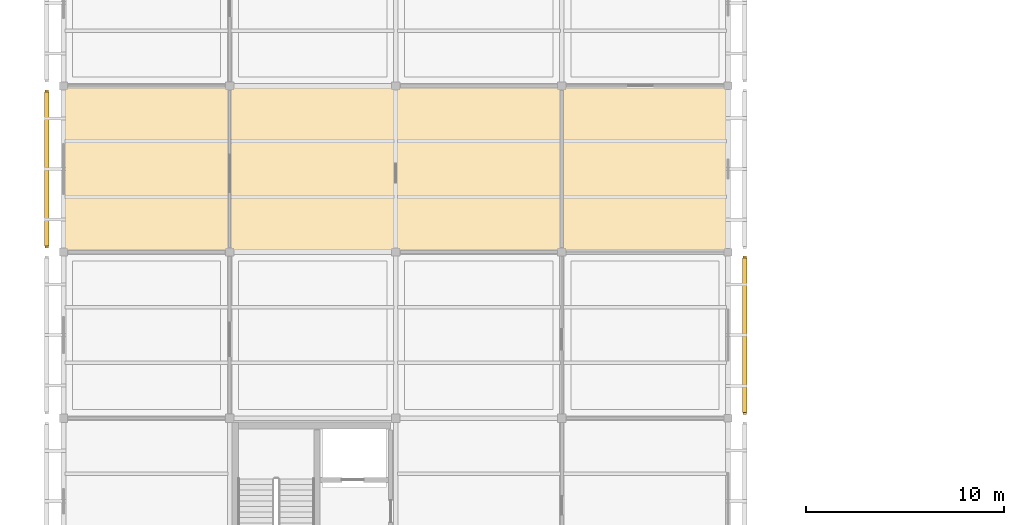
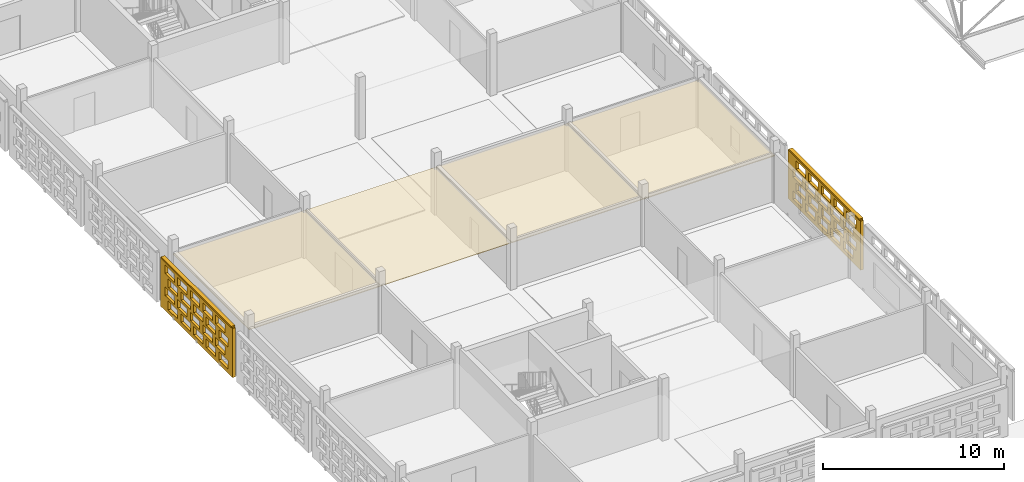
# One storey, part 89 of 103: 6 coverings, 2 shading devices, 40 openings.
"""IFC4 building model written with IfcOpenShell, lengths in metres."""

from ifc_helpers import new_model, si_unit, direction, frame, frame_2d, origin, origin_2d, place, context, subcontext, project, spatial, rectangle, extrude, material, layer, layer_set, type_object, element, save


model = new_model("IFC4")

# Units and contexts
model_context = context("Model", 3, precision=1e-05, world=origin(), true_north=direction((0.0, 1.0)))
body_context = subcontext(model_context, "Body", "Model", "MODEL_VIEW")
ifc_project = project(units=[si_unit("LENGTHUNIT", "METRE"), si_unit("AREAUNIT", "SQUARE_METRE"), si_unit("VOLUMEUNIT", "CUBIC_METRE"), si_unit("PLANEANGLEUNIT", "RADIAN"), si_unit("MASSUNIT", "GRAM", prefix="KILO")], contexts=[model_context])

# Site, building, storey
site_placement = place(None, origin())
site = spatial("IfcSite", under=ifc_project, at=site_placement, CompositionType="ELEMENT")
building_placement = place(site_placement, origin())
building = spatial("IfcBuilding", under=site, at=building_placement, Name="Varnapada Polytechnic", CompositionType="ELEMENT")
storey_placement = place(building_placement, frame((0.0, 0.0, 18.0)))
storey = spatial("IfcBuildingStorey", under=building, at=storey_placement, Name="L04", CompositionType="ELEMENT", Elevation=18.0)

# Coverings
ifc_material_1 = material(Name="Perforated Timber Slatted Baffle Ceiling", Category="wood")
ifc_layer_1 = layer(ifc_material_1, 0.050048828125)
ifc_layer_set_1 = layer_set([ifc_layer_1], Name="Perforated Timber Slatted Baffle Ceiling")
covering_type_1 = type_object("IfcCoveringType", Name="Suspended Ceiling CLG-02", PredefinedType="CEILING", material=ifc_layer_set_1)
covering_1_placement = place(storey_placement, frame((21.0, 79.800048828125, 3.02490234375), z_axis=(0.0, 0.0, 1.0), x_axis=(1.0, 0.0, 0.0)))
element("IfcCovering", 1, at=covering_1_placement, inside=storey, type_object=covering_type_1, Name="L04 suspended acoustic ceiling (3,10)", PredefinedType="CEILING", context=body_context, shape_type="SweptSolid", body=[
    extrude(rectangle(XDim=8.419921875, YDim=8.419921875, at=origin_2d()), origin(), (0.0, 0.0, 1.0), 0.050048828125),
])
ifc_material_2 = material(Name="Slatted Merbau Timber Acoustic Ceiling", Category="wood")
ifc_layer_2 = layer(ifc_material_2, 0.054931640625)
ifc_layer_set_2 = layer_set([ifc_layer_2], Name="Slatted Merbau Timber Acoustic Ceiling")
covering_type_2 = type_object("IfcCoveringType", Name="Suspended Ceiling CLG-05", PredefinedType="CEILING", material=ifc_layer_set_2)
covering_2_placement = place(storey_placement, frame((4.199951171875, 79.800048828125, 3.0224609375), z_axis=(0.0, 0.0, 1.0), x_axis=(1.0, 0.0, 0.0)))
element("IfcCovering", 2, at=covering_2_placement, inside=storey, type_object=covering_type_2, Name="L04 suspended acoustic ceiling (1,10)", PredefinedType="CEILING", context=body_context, shape_type="SweptSolid", body=[
    extrude(rectangle(XDim=8.419921875, YDim=8.419921875, at=origin_2d()), origin(), (0.0, 0.0, 1.0), 0.054931640625),
])
ifc_material_3 = material(Name="Cleanroom Laboratory Metal Pan Ceiling")
ifc_layer_3 = layer(ifc_material_3, 0.034912109375)
ifc_layer_set_3 = layer_set([ifc_layer_3], Name="Cleanroom Laboratory Metal Pan Ceiling")
covering_type_3 = type_object("IfcCoveringType", Name="Suspended Ceiling CLG-06", PredefinedType="CEILING", material=ifc_layer_set_3)
covering_3_placement = place(storey_placement, frame((12.60009765625, 79.800048828125, 3.03271484375), z_axis=(0.0, 0.0, 1.0), x_axis=(1.0, 0.0, 0.0)))
element("IfcCovering", 3, at=covering_3_placement, inside=storey, type_object=covering_type_3, Name="L04 suspended acoustic ceiling (2,10)", PredefinedType="CEILING", context=body_context, shape_type="SweptSolid", body=[
    extrude(rectangle(XDim=8.419921875, YDim=8.419921875, at=origin_2d()), origin(), (0.0, 0.0, 1.0), 0.034912109375),
])
ifc_material_4 = material(Name="Deep Acoustic Auditorium Cloud Baffle")
ifc_layer_4 = layer(ifc_material_4, 0.06494140625)
ifc_layer_set_4 = layer_set([ifc_layer_4], Name="Deep Acoustic Auditorium Cloud Baffle")
covering_type_4 = type_object("IfcCoveringType", Name="Suspended Ceiling CLG-07", PredefinedType="CEILING", material=ifc_layer_set_4)
covering_4_placement = place(storey_placement, frame((29.39990234375, 79.800048828125, 3.017578125), z_axis=(0.0, 0.0, 1.0), x_axis=(1.0, 0.0, 0.0)))
element("IfcCovering", 4, at=covering_4_placement, inside=storey, type_object=covering_type_4, Name="L04 suspended acoustic ceiling (4,10)", PredefinedType="CEILING", context=body_context, shape_type="SweptSolid", body=[
    extrude(rectangle(XDim=8.419921875, YDim=8.419921875, at=origin_2d()), origin(), (0.0, 0.0, 1.0), 0.06494140625),
])

# Covering, openings
ifc_material_5 = material(Name="Earth-toned architectural terracotta screen block", Category="masonry")
ifc_layer_5 = layer(ifc_material_5, 0.1201171875)
ifc_layer_set_5 = layer_set([ifc_layer_5], Name="Earth-toned architectural terracotta screen block")
covering_type_5 = type_object("IfcCoveringType", Name="Terracotta Screen Cladding CLD-01", PredefinedType="CLADDING", material=ifc_layer_set_5)
covering_5_placement = place(storey_placement, frame((-0.85009765625, 75.81005859375, 0.0), z_axis=(0.0, 0.0, 1.0), x_axis=(0.0, 1.0, 0.0)))
covering_5 = element("IfcCovering", 5, at=covering_5_placement, inside=storey, type_object=covering_type_5, Name="L04 perforated terracotta block screen (5)", PredefinedType="CLADDING", context=body_context, shape_type="SweptSolid", body=[
    extrude(rectangle(XDim=7.97998046875, YDim=0.179931640625, at=frame_2d((3.989990234375, 0.0))), origin(), (0.0, 0.0, 1.0), 3.320068359375),
])
opening_1_placement = place(covering_5_placement, frame((0.489990234375, 0.0, 0.265625)))
element("IfcOpeningElement", 6, at=opening_1_placement, cuts=covering_5, Name="Screen perforation TBS-L04-004.1", PredefinedType="OPENING", context=body_context, shape_type="SweptSolid", body=[
    extrude(rectangle(XDim=1.0400390625, YDim=0.5810546875, at=frame_2d((0.52001953125, 0.29052734375))), frame((0.0, 0.099853515625, 0.0), z_axis=(0.0, -1.0, 0.0), x_axis=(1.0, 0.0, 0.0)), (0.0, 0.0, 1.0), 0.199951171875),
])
opening_2_placement = place(covering_5_placement, frame((1.889892578125, 0.0, 0.265625)))
element("IfcOpeningElement", 7, at=opening_2_placement, cuts=covering_5, Name="Screen perforation TBS-L04-004.2", PredefinedType="OPENING", context=body_context, shape_type="SweptSolid", body=[
    extrude(rectangle(XDim=1.0400390625, YDim=0.5810546875, at=frame_2d((0.52001953125, 0.29052734375))), frame((0.0, 0.099853515625, 0.0), z_axis=(0.0, -1.0, 0.0), x_axis=(1.0, 0.0, 0.0)), (0.0, 0.0, 1.0), 0.199951171875),
])
opening_3_placement = place(covering_5_placement, frame((3.2900390625, 0.0, 0.265625)))
element("IfcOpeningElement", 8, at=opening_3_placement, cuts=covering_5, Name="Screen perforation TBS-L04-004.3", PredefinedType="OPENING", context=body_context, shape_type="SweptSolid", body=[
    extrude(rectangle(XDim=1.0400390625, YDim=0.5810546875, at=frame_2d((0.52001953125, 0.29052734375))), frame((0.0, 0.099853515625, 0.0), z_axis=(0.0, -1.0, 0.0), x_axis=(1.0, 0.0, 0.0)), (0.0, 0.0, 1.0), 0.199951171875),
])
opening_4_placement = place(covering_5_placement, frame((4.68994140625, 0.0, 0.265625)))
element("IfcOpeningElement", 9, at=opening_4_placement, cuts=covering_5, Name="Screen perforation TBS-L04-004.4", PredefinedType="OPENING", context=body_context, shape_type="SweptSolid", body=[
    extrude(rectangle(XDim=1.0400390625, YDim=0.5810546875, at=frame_2d((0.52001953125, 0.29052734375))), frame((0.0, 0.099853515625, 0.0), z_axis=(0.0, -1.0, 0.0), x_axis=(1.0, 0.0, 0.0)), (0.0, 0.0, 1.0), 0.199951171875),
])
opening_5_placement = place(covering_5_placement, frame((6.090087890625, 0.0, 0.265625)))
element("IfcOpeningElement", 10, at=opening_5_placement, cuts=covering_5, Name="Screen perforation TBS-L04-004.5", PredefinedType="OPENING", context=body_context, shape_type="SweptSolid", body=[
    extrude(rectangle(XDim=1.0400390625, YDim=0.5810546875, at=frame_2d((0.52001953125, 0.29052734375))), frame((0.0, 0.099853515625, 0.0), z_axis=(0.0, -1.0, 0.0), x_axis=(1.0, 0.0, 0.0)), (0.0, 0.0, 1.0), 0.199951171875),
])
opening_6_placement = place(covering_5_placement, frame((0.85009765625, 0.0, 1.0126953125)))
element("IfcOpeningElement", 11, at=opening_6_placement, cuts=covering_5, Name="Screen perforation TBS-L04-004.6", PredefinedType="OPENING", context=body_context, shape_type="SweptSolid", body=[
    extrude(rectangle(XDim=1.0400390625, YDim=0.5810546875, at=frame_2d((0.52001953125, 0.29052734375))), frame((0.0, 0.099853515625, 0.0), z_axis=(0.0, -1.0, 0.0), x_axis=(1.0, 0.0, 0.0)), (0.0, 0.0, 1.0), 0.199951171875),
])
opening_7_placement = place(covering_5_placement, frame((2.25, 0.0, 1.0126953125)))
element("IfcOpeningElement", 12, at=opening_7_placement, cuts=covering_5, Name="Screen perforation TBS-L04-004.7", PredefinedType="OPENING", context=body_context, shape_type="SweptSolid", body=[
    extrude(rectangle(XDim=1.0400390625, YDim=0.5810546875, at=frame_2d((0.52001953125, 0.29052734375))), frame((0.0, 0.099853515625, 0.0), z_axis=(0.0, -1.0, 0.0), x_axis=(1.0, 0.0, 0.0)), (0.0, 0.0, 1.0), 0.199951171875),
])
opening_8_placement = place(covering_5_placement, frame((3.64990234375, 0.0, 1.0126953125)))
element("IfcOpeningElement", 13, at=opening_8_placement, cuts=covering_5, Name="Screen perforation TBS-L04-004.8", PredefinedType="OPENING", context=body_context, shape_type="SweptSolid", body=[
    extrude(rectangle(XDim=1.0400390625, YDim=0.5810546875, at=frame_2d((0.52001953125, 0.29052734375))), frame((0.0, 0.099853515625, 0.0), z_axis=(0.0, -1.0, 0.0), x_axis=(1.0, 0.0, 0.0)), (0.0, 0.0, 1.0), 0.199951171875),
])
opening_9_placement = place(covering_5_placement, frame((5.050048828125, 0.0, 1.0126953125)))
element("IfcOpeningElement", 14, at=opening_9_placement, cuts=covering_5, Name="Screen perforation TBS-L04-004.9", PredefinedType="OPENING", context=body_context, shape_type="SweptSolid", body=[
    extrude(rectangle(XDim=1.0400390625, YDim=0.5810546875, at=frame_2d((0.52001953125, 0.29052734375))), frame((0.0, 0.099853515625, 0.0), z_axis=(0.0, -1.0, 0.0), x_axis=(1.0, 0.0, 0.0)), (0.0, 0.0, 1.0), 0.199951171875),
])
opening_10_placement = place(covering_5_placement, frame((6.449951171875, 0.0, 1.0126953125)))
element("IfcOpeningElement", 15, at=opening_10_placement, cuts=covering_5, Name="Screen perforation TBS-L04-004.10", PredefinedType="OPENING", context=body_context, shape_type="SweptSolid", body=[
    extrude(rectangle(XDim=1.0400390625, YDim=0.5810546875, at=frame_2d((0.52001953125, 0.29052734375))), frame((0.0, 0.099853515625, 0.0), z_axis=(0.0, -1.0, 0.0), x_axis=(1.0, 0.0, 0.0)), (0.0, 0.0, 1.0), 0.199951171875),
])
opening_11_placement = place(covering_5_placement, frame((0.489990234375, 0.0, 1.759521484375)))
element("IfcOpeningElement", 16, at=opening_11_placement, cuts=covering_5, Name="Screen perforation TBS-L04-004.11", PredefinedType="OPENING", context=body_context, shape_type="SweptSolid", body=[
    extrude(rectangle(XDim=1.0400390625, YDim=0.5810546875, at=frame_2d((0.52001953125, 0.29052734375))), frame((0.0, 0.099853515625, 0.0), z_axis=(0.0, -1.0, 0.0), x_axis=(1.0, 0.0, 0.0)), (0.0, 0.0, 1.0), 0.199951171875),
])
opening_12_placement = place(covering_5_placement, frame((1.889892578125, 0.0, 1.759521484375)))
element("IfcOpeningElement", 17, at=opening_12_placement, cuts=covering_5, Name="Screen perforation TBS-L04-004.12", PredefinedType="OPENING", context=body_context, shape_type="SweptSolid", body=[
    extrude(rectangle(XDim=1.0400390625, YDim=0.5810546875, at=frame_2d((0.52001953125, 0.29052734375))), frame((0.0, 0.099853515625, 0.0), z_axis=(0.0, -1.0, 0.0), x_axis=(1.0, 0.0, 0.0)), (0.0, 0.0, 1.0), 0.199951171875),
])
opening_13_placement = place(covering_5_placement, frame((3.2900390625, 0.0, 1.759521484375)))
element("IfcOpeningElement", 18, at=opening_13_placement, cuts=covering_5, Name="Screen perforation TBS-L04-004.13", PredefinedType="OPENING", context=body_context, shape_type="SweptSolid", body=[
    extrude(rectangle(XDim=1.0400390625, YDim=0.5810546875, at=frame_2d((0.52001953125, 0.29052734375))), frame((0.0, 0.099853515625, 0.0), z_axis=(0.0, -1.0, 0.0), x_axis=(1.0, 0.0, 0.0)), (0.0, 0.0, 1.0), 0.199951171875),
])
opening_14_placement = place(covering_5_placement, frame((4.68994140625, 0.0, 1.759521484375)))
element("IfcOpeningElement", 19, at=opening_14_placement, cuts=covering_5, Name="Screen perforation TBS-L04-004.14", PredefinedType="OPENING", context=body_context, shape_type="SweptSolid", body=[
    extrude(rectangle(XDim=1.0400390625, YDim=0.5810546875, at=frame_2d((0.52001953125, 0.29052734375))), frame((0.0, 0.099853515625, 0.0), z_axis=(0.0, -1.0, 0.0), x_axis=(1.0, 0.0, 0.0)), (0.0, 0.0, 1.0), 0.199951171875),
])
opening_15_placement = place(covering_5_placement, frame((6.090087890625, 0.0, 1.759521484375)))
element("IfcOpeningElement", 20, at=opening_15_placement, cuts=covering_5, Name="Screen perforation TBS-L04-004.15", PredefinedType="OPENING", context=body_context, shape_type="SweptSolid", body=[
    extrude(rectangle(XDim=1.0400390625, YDim=0.5810546875, at=frame_2d((0.52001953125, 0.29052734375))), frame((0.0, 0.099853515625, 0.0), z_axis=(0.0, -1.0, 0.0), x_axis=(1.0, 0.0, 0.0)), (0.0, 0.0, 1.0), 0.199951171875),
])
opening_16_placement = place(covering_5_placement, frame((0.85009765625, 0.0, 2.506591796875)))
element("IfcOpeningElement", 21, at=opening_16_placement, cuts=covering_5, Name="Screen perforation TBS-L04-004.16", PredefinedType="OPENING", context=body_context, shape_type="SweptSolid", body=[
    extrude(rectangle(XDim=1.0400390625, YDim=0.5810546875, at=frame_2d((0.52001953125, 0.29052734375))), frame((0.0, 0.099853515625, 0.0), z_axis=(0.0, -1.0, 0.0), x_axis=(1.0, 0.0, 0.0)), (0.0, 0.0, 1.0), 0.199951171875),
])
opening_17_placement = place(covering_5_placement, frame((2.25, 0.0, 2.506591796875)))
element("IfcOpeningElement", 22, at=opening_17_placement, cuts=covering_5, Name="Screen perforation TBS-L04-004.17", PredefinedType="OPENING", context=body_context, shape_type="SweptSolid", body=[
    extrude(rectangle(XDim=1.0400390625, YDim=0.5810546875, at=frame_2d((0.52001953125, 0.29052734375))), frame((0.0, 0.099853515625, 0.0), z_axis=(0.0, -1.0, 0.0), x_axis=(1.0, 0.0, 0.0)), (0.0, 0.0, 1.0), 0.199951171875),
])
opening_18_placement = place(covering_5_placement, frame((3.64990234375, 0.0, 2.506591796875)))
element("IfcOpeningElement", 23, at=opening_18_placement, cuts=covering_5, Name="Screen perforation TBS-L04-004.18", PredefinedType="OPENING", context=body_context, shape_type="SweptSolid", body=[
    extrude(rectangle(XDim=1.0400390625, YDim=0.5810546875, at=frame_2d((0.52001953125, 0.29052734375))), frame((0.0, 0.099853515625, 0.0), z_axis=(0.0, -1.0, 0.0), x_axis=(1.0, 0.0, 0.0)), (0.0, 0.0, 1.0), 0.199951171875),
])
opening_19_placement = place(covering_5_placement, frame((5.050048828125, 0.0, 2.506591796875)))
element("IfcOpeningElement", 24, at=opening_19_placement, cuts=covering_5, Name="Screen perforation TBS-L04-004.19", PredefinedType="OPENING", context=body_context, shape_type="SweptSolid", body=[
    extrude(rectangle(XDim=1.0400390625, YDim=0.5810546875, at=frame_2d((0.52001953125, 0.29052734375))), frame((0.0, 0.099853515625, 0.0), z_axis=(0.0, -1.0, 0.0), x_axis=(1.0, 0.0, 0.0)), (0.0, 0.0, 1.0), 0.199951171875),
])
opening_20_placement = place(covering_5_placement, frame((6.449951171875, 0.0, 2.506591796875)))
element("IfcOpeningElement", 25, at=opening_20_placement, cuts=covering_5, Name="Screen perforation TBS-L04-004.20", PredefinedType="OPENING", context=body_context, shape_type="SweptSolid", body=[
    extrude(rectangle(XDim=1.0400390625, YDim=0.5810546875, at=frame_2d((0.52001953125, 0.29052734375))), frame((0.0, 0.099853515625, 0.0), z_axis=(0.0, -1.0, 0.0), x_axis=(1.0, 0.0, 0.0)), (0.0, 0.0, 1.0), 0.199951171875),
])

covering_6_placement = place(storey_placement, frame((34.449951171875, 75.409912109375, 0.0), z_axis=(0.0, 0.0, 1.0), x_axis=(0.0, -1.0, 0.0)))
covering_6 = element("IfcCovering", 26, at=covering_6_placement, inside=storey, type_object=covering_type_5, Name="L04 perforated terracotta block screen (26)", PredefinedType="CLADDING", context=body_context, shape_type="SweptSolid", body=[
    extrude(rectangle(XDim=8.02001953125, YDim=0.179931640625, at=frame_2d((4.010009765625, 0.0))), origin(), (0.0, 0.0, 1.0), 3.320068359375),
])
opening_21_placement = place(covering_6_placement, frame((0.510009765625, 0.0, 0.265625)))
element("IfcOpeningElement", 27, at=opening_21_placement, cuts=covering_6, Name="Screen perforation TBS-L04-025.1", PredefinedType="OPENING", context=body_context, shape_type="SweptSolid", body=[
    extrude(rectangle(XDim=1.0400390625, YDim=0.5810546875, at=frame_2d((0.52001953125, 0.29052734375))), frame((0.0, 0.099853515625, 0.0), z_axis=(0.0, -1.0, 0.0), x_axis=(1.0, 0.0, 0.0)), (0.0, 0.0, 1.0), 0.199951171875),
])
opening_22_placement = place(covering_6_placement, frame((1.909912109375, 0.0, 0.265625)))
element("IfcOpeningElement", 28, at=opening_22_placement, cuts=covering_6, Name="Screen perforation TBS-L04-025.2", PredefinedType="OPENING", context=body_context, shape_type="SweptSolid", body=[
    extrude(rectangle(XDim=1.0400390625, YDim=0.5810546875, at=frame_2d((0.52001953125, 0.29052734375))), frame((0.0, 0.099853515625, 0.0), z_axis=(0.0, -1.0, 0.0), x_axis=(1.0, 0.0, 0.0)), (0.0, 0.0, 1.0), 0.199951171875),
])
opening_23_placement = place(covering_6_placement, frame((3.31005859375, 0.0, 0.265625)))
element("IfcOpeningElement", 29, at=opening_23_placement, cuts=covering_6, Name="Screen perforation TBS-L04-025.3", PredefinedType="OPENING", context=body_context, shape_type="SweptSolid", body=[
    extrude(rectangle(XDim=1.0400390625, YDim=0.5810546875, at=frame_2d((0.52001953125, 0.29052734375))), frame((0.0, 0.099853515625, 0.0), z_axis=(0.0, -1.0, 0.0), x_axis=(1.0, 0.0, 0.0)), (0.0, 0.0, 1.0), 0.199951171875),
])
opening_24_placement = place(covering_6_placement, frame((4.7099609375, 0.0, 0.265625)))
element("IfcOpeningElement", 30, at=opening_24_placement, cuts=covering_6, Name="Screen perforation TBS-L04-025.4", PredefinedType="OPENING", context=body_context, shape_type="SweptSolid", body=[
    extrude(rectangle(XDim=1.0400390625, YDim=0.5810546875, at=frame_2d((0.52001953125, 0.29052734375))), frame((0.0, 0.099853515625, 0.0), z_axis=(0.0, -1.0, 0.0), x_axis=(1.0, 0.0, 0.0)), (0.0, 0.0, 1.0), 0.199951171875),
])
opening_25_placement = place(covering_6_placement, frame((6.110107421875, 0.0, 0.265625)))
element("IfcOpeningElement", 31, at=opening_25_placement, cuts=covering_6, Name="Screen perforation TBS-L04-025.5", PredefinedType="OPENING", context=body_context, shape_type="SweptSolid", body=[
    extrude(rectangle(XDim=1.0400390625, YDim=0.5810546875, at=frame_2d((0.52001953125, 0.29052734375))), frame((0.0, 0.099853515625, 0.0), z_axis=(0.0, -1.0, 0.0), x_axis=(1.0, 0.0, 0.0)), (0.0, 0.0, 1.0), 0.199951171875),
])
opening_26_placement = place(covering_6_placement, frame((0.8701171875, 0.0, 1.0126953125)))
element("IfcOpeningElement", 32, at=opening_26_placement, cuts=covering_6, Name="Screen perforation TBS-L04-025.6", PredefinedType="OPENING", context=body_context, shape_type="SweptSolid", body=[
    extrude(rectangle(XDim=1.0400390625, YDim=0.5810546875, at=frame_2d((0.52001953125, 0.29052734375))), frame((0.0, 0.099853515625, 0.0), z_axis=(0.0, -1.0, 0.0), x_axis=(1.0, 0.0, 0.0)), (0.0, 0.0, 1.0), 0.199951171875),
])
opening_27_placement = place(covering_6_placement, frame((2.27001953125, 0.0, 1.0126953125)))
element("IfcOpeningElement", 33, at=opening_27_placement, cuts=covering_6, Name="Screen perforation TBS-L04-025.7", PredefinedType="OPENING", context=body_context, shape_type="SweptSolid", body=[
    extrude(rectangle(XDim=1.0400390625, YDim=0.5810546875, at=frame_2d((0.52001953125, 0.29052734375))), frame((0.0, 0.099853515625, 0.0), z_axis=(0.0, -1.0, 0.0), x_axis=(1.0, 0.0, 0.0)), (0.0, 0.0, 1.0), 0.199951171875),
])
opening_28_placement = place(covering_6_placement, frame((3.669921875, 0.0, 1.0126953125)))
element("IfcOpeningElement", 34, at=opening_28_placement, cuts=covering_6, Name="Screen perforation TBS-L04-025.8", PredefinedType="OPENING", context=body_context, shape_type="SweptSolid", body=[
    extrude(rectangle(XDim=1.0400390625, YDim=0.5810546875, at=frame_2d((0.52001953125, 0.29052734375))), frame((0.0, 0.099853515625, 0.0), z_axis=(0.0, -1.0, 0.0), x_axis=(1.0, 0.0, 0.0)), (0.0, 0.0, 1.0), 0.199951171875),
])
opening_29_placement = place(covering_6_placement, frame((5.070068359375, 0.0, 1.0126953125)))
element("IfcOpeningElement", 35, at=opening_29_placement, cuts=covering_6, Name="Screen perforation TBS-L04-025.9", PredefinedType="OPENING", context=body_context, shape_type="SweptSolid", body=[
    extrude(rectangle(XDim=1.0400390625, YDim=0.5810546875, at=frame_2d((0.52001953125, 0.29052734375))), frame((0.0, 0.099853515625, 0.0), z_axis=(0.0, -1.0, 0.0), x_axis=(1.0, 0.0, 0.0)), (0.0, 0.0, 1.0), 0.199951171875),
])
opening_30_placement = place(covering_6_placement, frame((6.469970703125, 0.0, 1.0126953125)))
element("IfcOpeningElement", 36, at=opening_30_placement, cuts=covering_6, Name="Screen perforation TBS-L04-025.10", PredefinedType="OPENING", context=body_context, shape_type="SweptSolid", body=[
    extrude(rectangle(XDim=1.0400390625, YDim=0.5810546875, at=frame_2d((0.52001953125, 0.29052734375))), frame((0.0, 0.099853515625, 0.0), z_axis=(0.0, -1.0, 0.0), x_axis=(1.0, 0.0, 0.0)), (0.0, 0.0, 1.0), 0.199951171875),
])
opening_31_placement = place(covering_6_placement, frame((0.510009765625, 0.0, 1.759521484375)))
element("IfcOpeningElement", 37, at=opening_31_placement, cuts=covering_6, Name="Screen perforation TBS-L04-025.11", PredefinedType="OPENING", context=body_context, shape_type="SweptSolid", body=[
    extrude(rectangle(XDim=1.0400390625, YDim=0.5810546875, at=frame_2d((0.52001953125, 0.29052734375))), frame((0.0, 0.099853515625, 0.0), z_axis=(0.0, -1.0, 0.0), x_axis=(1.0, 0.0, 0.0)), (0.0, 0.0, 1.0), 0.199951171875),
])
opening_32_placement = place(covering_6_placement, frame((1.909912109375, 0.0, 1.759521484375)))
element("IfcOpeningElement", 38, at=opening_32_placement, cuts=covering_6, Name="Screen perforation TBS-L04-025.12", PredefinedType="OPENING", context=body_context, shape_type="SweptSolid", body=[
    extrude(rectangle(XDim=1.0400390625, YDim=0.5810546875, at=frame_2d((0.52001953125, 0.29052734375))), frame((0.0, 0.099853515625, 0.0), z_axis=(0.0, -1.0, 0.0), x_axis=(1.0, 0.0, 0.0)), (0.0, 0.0, 1.0), 0.199951171875),
])
opening_33_placement = place(covering_6_placement, frame((3.31005859375, 0.0, 1.759521484375)))
element("IfcOpeningElement", 39, at=opening_33_placement, cuts=covering_6, Name="Screen perforation TBS-L04-025.13", PredefinedType="OPENING", context=body_context, shape_type="SweptSolid", body=[
    extrude(rectangle(XDim=1.0400390625, YDim=0.5810546875, at=frame_2d((0.52001953125, 0.29052734375))), frame((0.0, 0.099853515625, 0.0), z_axis=(0.0, -1.0, 0.0), x_axis=(1.0, 0.0, 0.0)), (0.0, 0.0, 1.0), 0.199951171875),
])
opening_34_placement = place(covering_6_placement, frame((4.7099609375, 0.0, 1.759521484375)))
element("IfcOpeningElement", 40, at=opening_34_placement, cuts=covering_6, Name="Screen perforation TBS-L04-025.14", PredefinedType="OPENING", context=body_context, shape_type="SweptSolid", body=[
    extrude(rectangle(XDim=1.0400390625, YDim=0.5810546875, at=frame_2d((0.52001953125, 0.29052734375))), frame((0.0, 0.099853515625, 0.0), z_axis=(0.0, -1.0, 0.0), x_axis=(1.0, 0.0, 0.0)), (0.0, 0.0, 1.0), 0.199951171875),
])
opening_35_placement = place(covering_6_placement, frame((6.110107421875, 0.0, 1.759521484375)))
element("IfcOpeningElement", 41, at=opening_35_placement, cuts=covering_6, Name="Screen perforation TBS-L04-025.15", PredefinedType="OPENING", context=body_context, shape_type="SweptSolid", body=[
    extrude(rectangle(XDim=1.0400390625, YDim=0.5810546875, at=frame_2d((0.52001953125, 0.29052734375))), frame((0.0, 0.099853515625, 0.0), z_axis=(0.0, -1.0, 0.0), x_axis=(1.0, 0.0, 0.0)), (0.0, 0.0, 1.0), 0.199951171875),
])
opening_36_placement = place(covering_6_placement, frame((0.8701171875, 0.0, 2.506591796875)))
element("IfcOpeningElement", 42, at=opening_36_placement, cuts=covering_6, Name="Screen perforation TBS-L04-025.16", PredefinedType="OPENING", context=body_context, shape_type="SweptSolid", body=[
    extrude(rectangle(XDim=1.0400390625, YDim=0.5810546875, at=frame_2d((0.52001953125, 0.29052734375))), frame((0.0, 0.099853515625, 0.0), z_axis=(0.0, -1.0, 0.0), x_axis=(1.0, 0.0, 0.0)), (0.0, 0.0, 1.0), 0.199951171875),
])
opening_37_placement = place(covering_6_placement, frame((2.27001953125, 0.0, 2.506591796875)))
element("IfcOpeningElement", 43, at=opening_37_placement, cuts=covering_6, Name="Screen perforation TBS-L04-025.17", PredefinedType="OPENING", context=body_context, shape_type="SweptSolid", body=[
    extrude(rectangle(XDim=1.0400390625, YDim=0.5810546875, at=frame_2d((0.52001953125, 0.29052734375))), frame((0.0, 0.099853515625, 0.0), z_axis=(0.0, -1.0, 0.0), x_axis=(1.0, 0.0, 0.0)), (0.0, 0.0, 1.0), 0.199951171875),
])
opening_38_placement = place(covering_6_placement, frame((3.669921875, 0.0, 2.506591796875)))
element("IfcOpeningElement", 44, at=opening_38_placement, cuts=covering_6, Name="Screen perforation TBS-L04-025.18", PredefinedType="OPENING", context=body_context, shape_type="SweptSolid", body=[
    extrude(rectangle(XDim=1.0400390625, YDim=0.5810546875, at=frame_2d((0.52001953125, 0.29052734375))), frame((0.0, 0.099853515625, 0.0), z_axis=(0.0, -1.0, 0.0), x_axis=(1.0, 0.0, 0.0)), (0.0, 0.0, 1.0), 0.199951171875),
])
opening_39_placement = place(covering_6_placement, frame((5.070068359375, 0.0, 2.506591796875)))
element("IfcOpeningElement", 45, at=opening_39_placement, cuts=covering_6, Name="Screen perforation TBS-L04-025.19", PredefinedType="OPENING", context=body_context, shape_type="SweptSolid", body=[
    extrude(rectangle(XDim=1.0400390625, YDim=0.5810546875, at=frame_2d((0.52001953125, 0.29052734375))), frame((0.0, 0.099853515625, 0.0), z_axis=(0.0, -1.0, 0.0), x_axis=(1.0, 0.0, 0.0)), (0.0, 0.0, 1.0), 0.199951171875),
])
opening_40_placement = place(covering_6_placement, frame((6.469970703125, 0.0, 2.506591796875)))
element("IfcOpeningElement", 46, at=opening_40_placement, cuts=covering_6, Name="Screen perforation TBS-L04-025.20", PredefinedType="OPENING", context=body_context, shape_type="SweptSolid", body=[
    extrude(rectangle(XDim=1.0400390625, YDim=0.5810546875, at=frame_2d((0.52001953125, 0.29052734375))), frame((0.0, 0.099853515625, 0.0), z_axis=(0.0, -1.0, 0.0), x_axis=(1.0, 0.0, 0.0)), (0.0, 0.0, 1.0), 0.199951171875),
])

# Shading devices
ifc_layer_6 = layer(ifc_material_5, 0.179931640625)
ifc_layer_set_6 = layer_set([ifc_layer_6], Name="Earth-toned architectural terracotta screen block")
shading_device_type = type_object("IfcShadingDeviceType", Name="Terracotta Screen SCR-01", PredefinedType="USERDEFINED", material=ifc_layer_set_6)
shading_device_1_placement = place(storey_placement, frame((-0.85009765625, 79.800048828125, 3.31005859375), z_axis=(0.0, 0.0, 1.0), x_axis=(0.0, 1.0, 0.0)))
element("IfcShadingDevice", 47, at=shading_device_1_placement, inside=storey, type_object=shading_device_type, Name="L04 perforated terracotta screen hood 427", ObjectType="SCREEN", PredefinedType="USERDEFINED", context=body_context, shape_type="SweptSolid", body=[
    extrude(rectangle(XDim=7.780029296875, YDim=0.239990234375, at=origin_2d()), origin(), (0.0, 0.0, 1.0), 0.10009765625),
])
shading_device_2_placement = place(storey_placement, frame((34.449951171875, 71.39990234375, 3.31005859375), z_axis=(0.0, 0.0, 1.0), x_axis=(0.0, -1.0, 0.0)))
element("IfcShadingDevice", 48, at=shading_device_2_placement, inside=storey, type_object=shading_device_type, Name="L04 perforated terracotta screen hood 445", ObjectType="SCREEN", PredefinedType="USERDEFINED", context=body_context, shape_type="SweptSolid", body=[
    extrude(rectangle(XDim=7.820068359375, YDim=0.239990234375, at=origin_2d()), origin(), (0.0, 0.0, 1.0), 0.10009765625),
])

save(model, "model.ifc")
